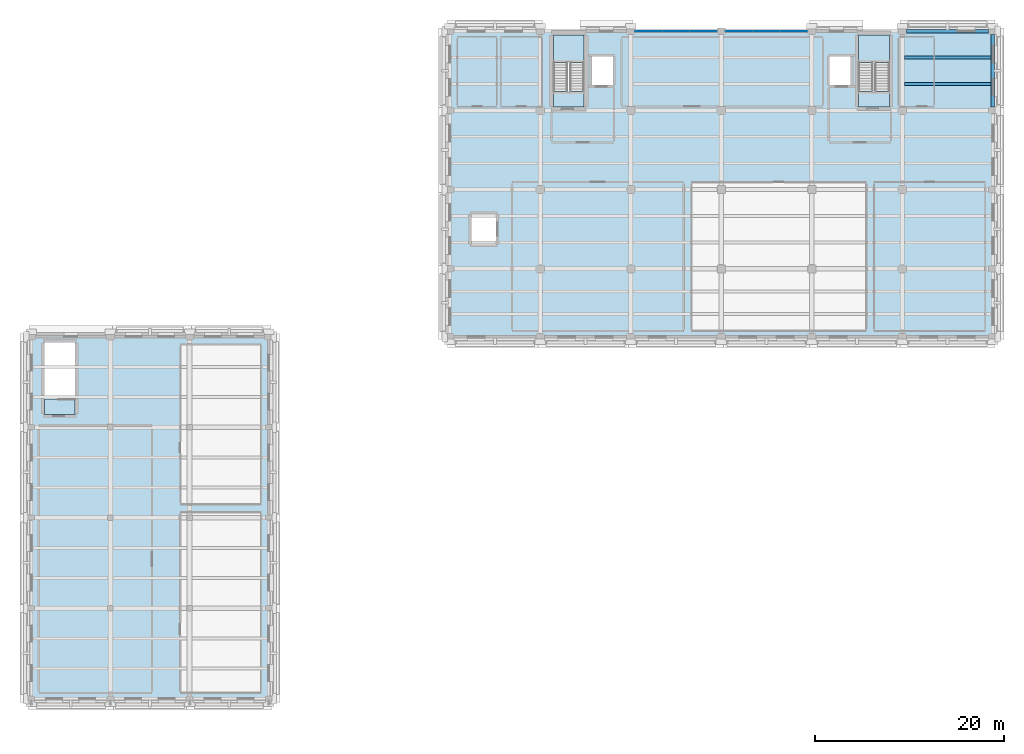
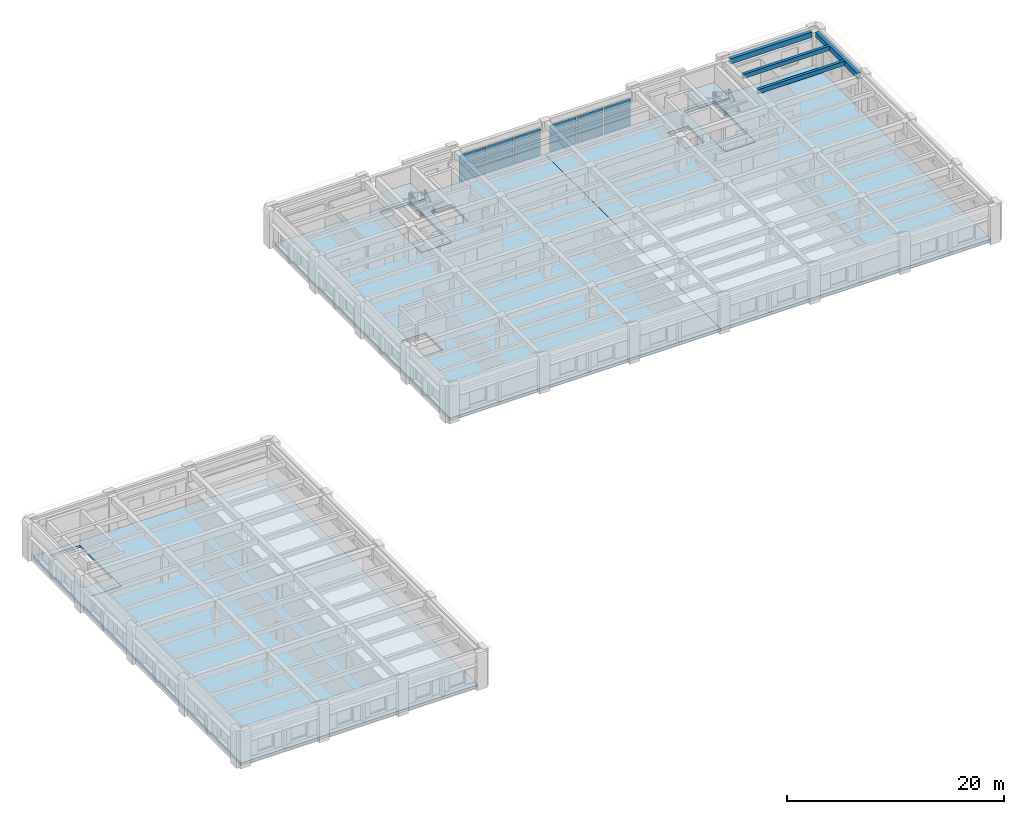
# One storey, part 5 of 17: 18 plates, 8 slabs, 4 beams, 4 elements without a shape of their own.
"""IFC4 building model written with IfcOpenShell, lengths in metres."""

from ifc_helpers import new_model, si_unit, direction, frame, origin, origin_2d, place, context, subcontext, project, spatial, polyline, rectangle, outline, extrude, material, layer, layer_set, material_profile, profile_set, type_object, element, aggregate, save


model = new_model("IFC4")

# Units and contexts
model_context = context("Model", 3, precision=1e-05, world=origin(), true_north=direction((0.0, 1.0)))
body_context = subcontext(model_context, "Body", "Model", "MODEL_VIEW")
ifc_project = project(units=[si_unit("LENGTHUNIT", "METRE"), si_unit("AREAUNIT", "SQUARE_METRE"), si_unit("VOLUMEUNIT", "CUBIC_METRE"), si_unit("PLANEANGLEUNIT", "RADIAN"), si_unit("MASSUNIT", "GRAM", prefix="KILO")], contexts=[model_context])

# Site, building, storey
site_placement = place(None, origin())
site = spatial("IfcSite", under=ifc_project, at=site_placement, CompositionType="ELEMENT")
building_placement = place(site_placement, origin())
building = spatial("IfcBuilding", under=site, at=building_placement, Name="Bempovik Park Faculty of Sciences", CompositionType="ELEMENT")
storey_placement = place(building_placement, frame((0.0, 0.0, 22.5)))
storey = spatial("IfcBuildingStorey", under=building, at=storey_placement, Name="L05", CompositionType="ELEMENT", Elevation=22.5)

# Beams
ifc_material_1 = material(Name="Concrete C35/45", Category="concrete")
ifc_material_profile_1 = material_profile(ifc_material_1, rectangle(XDim=0.3798828125, YDim=0.60009765625, at=origin_2d()), Name="RC 380x600")
ifc_profile_set_1 = profile_set([ifc_material_profile_1], Name="Concrete C35/45")
beam_type_1 = type_object("IfcBeamType", Name="B-032 RC 380x600", PredefinedType="SPANDREL", material=ifc_profile_set_1)
beam_1_placement = place(storey_placement, frame((108.4560546875, 119.39990234375, 3.6201171875), z_axis=(1.0, 0.0, 0.0), x_axis=(0.0, 1.0, 0.0)))
element("IfcBeam", 1, at=beam_1_placement, inside=storey, type_object=beam_type_1, Name="L05 Beam X (108.0-117.6, y=119.4)", PredefinedType="SPANDREL", context=body_context, shape_type="SweptSolid", body=[
    extrude(rectangle(XDim=0.3798828125, YDim=0.60009765625, at=origin_2d()), origin(), (0.0, 0.0, 1.0), 8.68798828125),
])
beam_2_placement = place(storey_placement, frame((117.60009765625, 111.35595703125, 3.6201171875), z_axis=(0.0, 1.0, 0.0), x_axis=(-1.0, 0.0, 0.0)))
element("IfcBeam", 2, at=beam_2_placement, inside=storey, type_object=beam_type_1, Name="L05 Beam Y (x=117.6, 111.0-119.4)", PredefinedType="SPANDREL", context=body_context, shape_type="SweptSolid", body=[
    extrude(rectangle(XDim=0.3798828125, YDim=0.60009765625, at=origin_2d()), origin(), (0.0, 0.0, 1.0), 7.68798828125),
])
ifc_material_profile_2 = material_profile(ifc_material_1, rectangle(XDim=0.300048828125, YDim=0.47998046875, at=origin_2d()), Name="RC 300x480")
ifc_profile_set_2 = profile_set([ifc_material_profile_2], Name="Concrete C35/45")
beam_type_2 = type_object("IfcBeamType", Name="B-039 RC 300x480", PredefinedType="JOIST", material=ifc_profile_set_2)
for number, where, z_axis, x_axis, name in (
    (3, (108.23095703125, 113.800048828125, 3.679931640625), (1.0, 0.0, 0.0), (0.0, 1.0, 0.0), "L05 Secondary Joist (108.0-117.6, y=113.80)"),
    (4, (108.23095703125, 116.60009765625, 3.679931640625), (1.0, 0.0, 0.0), (0.0, 1.0, 0.0), "L05 Secondary Joist (108.0-117.6, y=116.60)"),
):
    element("IfcBeam", number, at=place(storey_placement, frame(where, z_axis=z_axis, x_axis=x_axis)), inside=storey, type_object=beam_type_2, Name=name, PredefinedType="JOIST", context=body_context, shape_type="SweptSolid", body=[
        extrude(rectangle(XDim=0.300048828125, YDim=0.47998046875, at=origin_2d()), origin(), (0.0, 0.0, 1.0), 9.173095703125),
    ])

# Curtain wall, plates
ifc_material_2 = material(Name="Tempered laminated low-E glass", Category="glass")
ifc_layer_1 = layer(ifc_material_2, 0.159912109375)
ifc_layer_set_1 = layer_set([ifc_layer_1], Name="Tempered laminated low-E glass")
curtain_wall_type = type_object("IfcCurtainWallType", Name="CW-24 Curtain 7000x3500", PredefinedType="USERDEFINED", material=ifc_layer_set_1)
curtain_wall_1_placement = place(storey_placement, origin())
curtain_wall_1 = element("IfcCurtainWall", 5, at=curtain_wall_1_placement, inside=storey, type_object=curtain_wall_type, Name="L05 Unitised Curtain Wall (119.4,79.2)", ObjectType="UNITISED CURTAIN WALL", PredefinedType="USERDEFINED")
ifc_layer_2 = layer(ifc_material_2, 0.028076171875)
ifc_layer_set_2 = layer_set([ifc_layer_2], Name="Tempered laminated low-E glass")
plate_type_1 = type_object("IfcPlateType", Name="CP-20 Curtain Panel 28mm", PredefinedType="CURTAIN_PANEL", material=ifc_layer_set_2)
plate_1_placement = place(storey_placement, frame((81.101318359375, 119.39990234375, 1.066650390625), z_axis=(0.0, 0.0, 1.0), x_axis=(1.0, 0.0, 0.0)))
plate_1 = element("IfcPlate", 6, at=plate_1_placement, type_object=plate_type_1, Name="CW-BAY-L05-1194-792 Panel 0-1", PredefinedType="CURTAIN_PANEL", context=body_context, shape_type="SweptSolid", body=[
    extrude(rectangle(XDim=2.818603515625, YDim=0.035888671875, at=origin_2d()), origin(), (0.0, 0.0, 1.0), 0.94677734375),
])
plate_2_placement = place(storey_placement, frame((81.101318359375, 119.39990234375, 2.09326171875), z_axis=(0.0, 0.0, 1.0), x_axis=(1.0, 0.0, 0.0)))
plate_2 = element("IfcPlate", 7, at=plate_2_placement, type_object=plate_type_1, Name="CW-BAY-L05-1194-792 Panel 0-2", PredefinedType="CURTAIN_PANEL", context=body_context, shape_type="SweptSolid", body=[
    extrude(rectangle(XDim=2.818603515625, YDim=0.035888671875, at=origin_2d()), origin(), (0.0, 0.0, 1.0), 0.94677734375),
])
plate_3_placement = place(storey_placement, frame((84.0, 119.39990234375, 1.066650390625), z_axis=(0.0, 0.0, 1.0), x_axis=(1.0, 0.0, 0.0)))
plate_3 = element("IfcPlate", 8, at=plate_3_placement, type_object=plate_type_1, Name="CW-BAY-L05-1194-792 Panel 1-1", PredefinedType="CURTAIN_PANEL", context=body_context, shape_type="SweptSolid", body=[
    extrude(rectangle(XDim=2.818603515625, YDim=0.035888671875, at=origin_2d()), origin(), (0.0, 0.0, 1.0), 0.94677734375),
])
plate_4_placement = place(storey_placement, frame((84.0, 119.39990234375, 2.09326171875), z_axis=(0.0, 0.0, 1.0), x_axis=(1.0, 0.0, 0.0)))
plate_4 = element("IfcPlate", 9, at=plate_4_placement, type_object=plate_type_1, Name="CW-BAY-L05-1194-792 Panel 1-2", PredefinedType="CURTAIN_PANEL", context=body_context, shape_type="SweptSolid", body=[
    extrude(rectangle(XDim=2.818603515625, YDim=0.035888671875, at=origin_2d()), origin(), (0.0, 0.0, 1.0), 0.94677734375),
])
plate_5_placement = place(storey_placement, frame((86.898681640625, 119.39990234375, 1.066650390625), z_axis=(0.0, 0.0, 1.0), x_axis=(1.0, 0.0, 0.0)))
plate_5 = element("IfcPlate", 10, at=plate_5_placement, type_object=plate_type_1, Name="CW-BAY-L05-1194-792 Panel 2-1", PredefinedType="CURTAIN_PANEL", context=body_context, shape_type="SweptSolid", body=[
    extrude(rectangle(XDim=2.818603515625, YDim=0.035888671875, at=origin_2d()), origin(), (0.0, 0.0, 1.0), 0.94677734375),
])
plate_6_placement = place(storey_placement, frame((86.898681640625, 119.39990234375, 2.09326171875), z_axis=(0.0, 0.0, 1.0), x_axis=(1.0, 0.0, 0.0)))
plate_6 = element("IfcPlate", 11, at=plate_6_placement, type_object=plate_type_1, Name="CW-BAY-L05-1194-792 Panel 2-2", PredefinedType="CURTAIN_PANEL", context=body_context, shape_type="SweptSolid", body=[
    extrude(rectangle(XDim=2.818603515625, YDim=0.035888671875, at=origin_2d()), origin(), (0.0, 0.0, 1.0), 0.94677734375),
])

curtain_wall_2_placement = place(storey_placement, origin())
curtain_wall_2 = element("IfcCurtainWall", 12, at=curtain_wall_2_placement, inside=storey, type_object=curtain_wall_type, Name="L05 Unitised Curtain Wall (119.4,88.8)", ObjectType="UNITISED CURTAIN WALL", PredefinedType="USERDEFINED")
plate_7_placement = place(storey_placement, frame((90.701416015625, 119.39990234375, 1.066650390625), z_axis=(0.0, 0.0, 1.0), x_axis=(1.0, 0.0, 0.0)))
plate_7 = element("IfcPlate", 13, at=plate_7_placement, type_object=plate_type_1, Name="CW-BAY-L05-1194-888 Panel 0-1", PredefinedType="CURTAIN_PANEL", context=body_context, shape_type="SweptSolid", body=[
    extrude(rectangle(XDim=2.818603515625, YDim=0.035888671875, at=origin_2d()), origin(), (0.0, 0.0, 1.0), 0.94677734375),
])
plate_8_placement = place(storey_placement, frame((90.701416015625, 119.39990234375, 2.09326171875), z_axis=(0.0, 0.0, 1.0), x_axis=(1.0, 0.0, 0.0)))
plate_8 = element("IfcPlate", 14, at=plate_8_placement, type_object=plate_type_1, Name="CW-BAY-L05-1194-888 Panel 0-2", PredefinedType="CURTAIN_PANEL", context=body_context, shape_type="SweptSolid", body=[
    extrude(rectangle(XDim=2.818603515625, YDim=0.035888671875, at=origin_2d()), origin(), (0.0, 0.0, 1.0), 0.94677734375),
])
plate_9_placement = place(storey_placement, frame((93.60009765625, 119.39990234375, 1.066650390625), z_axis=(0.0, 0.0, 1.0), x_axis=(1.0, 0.0, 0.0)))
plate_9 = element("IfcPlate", 15, at=plate_9_placement, type_object=plate_type_1, Name="CW-BAY-L05-1194-888 Panel 1-1", PredefinedType="CURTAIN_PANEL", context=body_context, shape_type="SweptSolid", body=[
    extrude(rectangle(XDim=2.818603515625, YDim=0.035888671875, at=origin_2d()), origin(), (0.0, 0.0, 1.0), 0.94677734375),
])
plate_10_placement = place(storey_placement, frame((93.60009765625, 119.39990234375, 2.09326171875), z_axis=(0.0, 0.0, 1.0), x_axis=(1.0, 0.0, 0.0)))
plate_10 = element("IfcPlate", 16, at=plate_10_placement, type_object=plate_type_1, Name="CW-BAY-L05-1194-888 Panel 1-2", PredefinedType="CURTAIN_PANEL", context=body_context, shape_type="SweptSolid", body=[
    extrude(rectangle(XDim=2.818603515625, YDim=0.035888671875, at=origin_2d()), origin(), (0.0, 0.0, 1.0), 0.94677734375),
])
plate_11_placement = place(storey_placement, frame((96.498779296875, 119.39990234375, 1.066650390625), z_axis=(0.0, 0.0, 1.0), x_axis=(1.0, 0.0, 0.0)))
plate_11 = element("IfcPlate", 17, at=plate_11_placement, type_object=plate_type_1, Name="CW-BAY-L05-1194-888 Panel 2-1", PredefinedType="CURTAIN_PANEL", context=body_context, shape_type="SweptSolid", body=[
    extrude(rectangle(XDim=2.818603515625, YDim=0.035888671875, at=origin_2d()), origin(), (0.0, 0.0, 1.0), 0.94677734375),
])
plate_12_placement = place(storey_placement, frame((96.498779296875, 119.39990234375, 2.09326171875), z_axis=(0.0, 0.0, 1.0), x_axis=(1.0, 0.0, 0.0)))
plate_12 = element("IfcPlate", 18, at=plate_12_placement, type_object=plate_type_1, Name="CW-BAY-L05-1194-888 Panel 2-2", PredefinedType="CURTAIN_PANEL", context=body_context, shape_type="SweptSolid", body=[
    extrude(rectangle(XDim=2.818603515625, YDim=0.035888671875, at=origin_2d()), origin(), (0.0, 0.0, 1.0), 0.94677734375),
])

# Plate
ifc_material_3 = material(Name="Anodised architectural bronze")
ifc_layer_3 = layer(ifc_material_3, 0.048095703125)
ifc_layer_set_3 = layer_set([ifc_layer_3], Name="Anodised architectural bronze")
plate_type_2 = type_object("IfcPlateType", Name="CP-24 Curtain Panel 48mm", PredefinedType="CURTAIN_PANEL", material=ifc_layer_set_3)
plate_13_placement = place(storey_placement, frame((81.101318359375, 119.39990234375, 0.039794921875), z_axis=(0.0, 0.0, 1.0), x_axis=(1.0, 0.0, 0.0)))
plate_13 = element("IfcPlate", 19, at=plate_13_placement, type_object=plate_type_2, Name="CW-BAY-L05-1194-792 Panel 0-0", PredefinedType="CURTAIN_PANEL", context=body_context, shape_type="SweptSolid", body=[
    extrude(rectangle(XDim=2.818603515625, YDim=0.035888671875, at=origin_2d()), origin(), (0.0, 0.0, 1.0), 0.94677734375),
])

plate_14_placement = place(storey_placement, frame((84.0, 119.39990234375, 0.039794921875), z_axis=(0.0, 0.0, 1.0), x_axis=(1.0, 0.0, 0.0)))
plate_14 = element("IfcPlate", 20, at=plate_14_placement, type_object=plate_type_2, Name="CW-BAY-L05-1194-792 Panel 1-0", PredefinedType="CURTAIN_PANEL", context=body_context, shape_type="SweptSolid", body=[
    extrude(rectangle(XDim=2.818603515625, YDim=0.035888671875, at=origin_2d()), origin(), (0.0, 0.0, 1.0), 0.94677734375),
])

plate_15_placement = place(storey_placement, frame((86.898681640625, 119.39990234375, 0.039794921875), z_axis=(0.0, 0.0, 1.0), x_axis=(1.0, 0.0, 0.0)))
plate_15 = element("IfcPlate", 21, at=plate_15_placement, type_object=plate_type_2, Name="CW-BAY-L05-1194-792 Panel 2-0", PredefinedType="CURTAIN_PANEL", context=body_context, shape_type="SweptSolid", body=[
    extrude(rectangle(XDim=2.818603515625, YDim=0.035888671875, at=origin_2d()), origin(), (0.0, 0.0, 1.0), 0.94677734375),
])

aggregate(curtain_wall_1, [plate_13, plate_1, plate_2, plate_14, plate_3, plate_4, plate_15, plate_5, plate_6])

plate_16_placement = place(storey_placement, frame((90.701416015625, 119.39990234375, 0.039794921875), z_axis=(0.0, 0.0, 1.0), x_axis=(1.0, 0.0, 0.0)))
plate_16 = element("IfcPlate", 22, at=plate_16_placement, type_object=plate_type_2, Name="CW-BAY-L05-1194-888 Panel 0-0", PredefinedType="CURTAIN_PANEL", context=body_context, shape_type="SweptSolid", body=[
    extrude(rectangle(XDim=2.818603515625, YDim=0.035888671875, at=origin_2d()), origin(), (0.0, 0.0, 1.0), 0.94677734375),
])

plate_17_placement = place(storey_placement, frame((93.60009765625, 119.39990234375, 0.039794921875), z_axis=(0.0, 0.0, 1.0), x_axis=(1.0, 0.0, 0.0)))
plate_17 = element("IfcPlate", 23, at=plate_17_placement, type_object=plate_type_2, Name="CW-BAY-L05-1194-888 Panel 1-0", PredefinedType="CURTAIN_PANEL", context=body_context, shape_type="SweptSolid", body=[
    extrude(rectangle(XDim=2.818603515625, YDim=0.035888671875, at=origin_2d()), origin(), (0.0, 0.0, 1.0), 0.94677734375),
])

plate_18_placement = place(storey_placement, frame((96.498779296875, 119.39990234375, 0.039794921875), z_axis=(0.0, 0.0, 1.0), x_axis=(1.0, 0.0, 0.0)))
plate_18 = element("IfcPlate", 24, at=plate_18_placement, type_object=plate_type_2, Name="CW-BAY-L05-1194-888 Panel 2-0", PredefinedType="CURTAIN_PANEL", context=body_context, shape_type="SweptSolid", body=[
    extrude(rectangle(XDim=2.818603515625, YDim=0.035888671875, at=origin_2d()), origin(), (0.0, 0.0, 1.0), 0.94677734375),
])

aggregate(curtain_wall_2, [plate_16, plate_7, plate_8, plate_17, plate_9, plate_10, plate_18, plate_11, plate_12])

# Slabs
ifc_layer_4 = layer(ifc_material_1, 0.300048828125)
ifc_layer_set_4 = layer_set([ifc_layer_4], Name="Concrete C35/45")
slab_type_1 = type_object("IfcSlabType", Name="S-25 Slab 300mm", PredefinedType="FLOOR", material=ifc_layer_set_4)
slab_1_placement = place(storey_placement, frame((0.0, 0.0, -0.300048828125)))
element("IfcSlab", 25, at=slab_1_placement, inside=storey, type_object=slab_type_1, Name="L05 West Laboratory Wing Floor Slab (M)", PredefinedType="FLOOR", context=body_context, shape_type="SweptSolid", body=[
    extrude(outline(polyline([(15.60009765625, 48.60009765625), (40.800048828125, 48.60009765625), (40.800048828125, 87.0), (15.60009765625, 87.0), (15.60009765625, 48.60009765625)]), holes=[polyline([(17.0, 78.75), (20.25, 78.75), (20.25, 86.375), (17.0, 86.375), (17.0, 78.75)])]), origin(), (0.0, 0.0, 1.0), 0.300048828125),
])
ifc_layer_5 = layer(ifc_material_1, 0.280029296875)
ifc_layer_set_5 = layer_set([ifc_layer_5], Name="Concrete C35/45")
slab_type_2 = type_object("IfcSlabType", Name="S-32 Slab 280mm", PredefinedType="FLOOR", material=ifc_layer_set_5)
slab_2_placement = place(storey_placement, frame((0.0, 0.0, -0.300048828125)))
element("IfcSlab", 26, at=slab_2_placement, inside=storey, type_object=slab_type_2, Name="L05 North Research Tower Floor Slab (W)", PredefinedType="FLOOR", context=body_context, shape_type="SweptSolid", body=[
    extrude(outline(polyline([(60.0, 87.0), (88.800048828125, 87.0), (88.800048828125, 119.39990234375), (60.0, 119.39990234375), (60.0, 87.0)]), holes=[polyline([(71.0, 111.375), (74.25, 111.375), (74.25, 119.0), (71.0, 119.0), (71.0, 111.375)]), polyline([(75.10009765625, 113.699951171875), (77.300048828125, 113.699951171875), (77.300048828125, 116.699951171875), (75.10009765625, 116.699951171875), (75.10009765625, 113.699951171875)]), polyline([(62.300048828125, 96.800048828125), (64.89990234375, 96.800048828125), (64.89990234375, 100.0), (62.300048828125, 100.0), (62.300048828125, 96.800048828125)])]), origin(), (0.0, 0.0, 1.0), 0.300048828125),
])
slab_3_placement = place(storey_placement, frame((0.0, 0.0, -0.300048828125)))
element("IfcSlab", 27, at=slab_3_placement, inside=storey, type_object=slab_type_2, Name="L05 North Research Tower Floor Slab (E)", PredefinedType="FLOOR", context=body_context, shape_type="SweptSolid", body=[
    extrude(outline(polyline([(88.800048828125, 87.0), (117.60009765625, 87.0), (117.60009765625, 119.39990234375), (88.800048828125, 119.39990234375), (88.800048828125, 87.0)]), holes=[polyline([(103.375, 111.375), (106.625, 111.375), (106.625, 119.0), (103.375, 119.0), (103.375, 111.375)]), polyline([(100.300048828125, 113.699951171875), (102.5, 113.699951171875), (102.5, 116.699951171875), (100.300048828125, 116.699951171875), (100.300048828125, 113.699951171875)])]), origin(), (0.0, 0.0, 1.0), 0.300048828125),
])

# Stair, slab
stair_type = type_object("IfcStairType", Name="ST-16 Stair W1500 H4200", PredefinedType="HALF_TURN_STAIR", material=ifc_material_1)
stair_1_placement = place(storey_placement, origin())
stair_1 = element("IfcStair", 28, at=stair_1_placement, inside=storey, type_object=stair_type, Name="L05 ST-1 Dog-Leg Exit Stair", PredefinedType="HALF_TURN_STAIR")
ifc_layer_6 = layer(ifc_material_1, 0.199951171875)
ifc_layer_set_6 = layer_set([ifc_layer_6], Name="Concrete C35/45")
slab_type_3 = type_object("IfcSlabType", Name="S-41 Slab 200mm", PredefinedType="LANDING", material=ifc_layer_set_6)
slab_4_placement = place(storey_placement, frame((0.0, 0.0, 1.89990234375)))
slab_4 = element("IfcSlab", 29, at=slab_4_placement, type_object=slab_type_3, Name="ST-16 landing 1", PredefinedType="LANDING", context=body_context, shape_type="SweptSolid", body=[
    extrude(outline(polyline([(74.25, 116.09375), (74.25, 119.0), (71.0, 119.0), (71.0, 116.09375), (74.25, 116.09375)])), origin(), (0.0, 0.0, 1.0), 0.2001953125),
])
aggregate(stair_1, [slab_4])

# Slab
slab_5_placement = place(storey_placement, frame((0.0, 0.0, -0.300048828125)))
element("IfcSlab", 30, at=slab_5_placement, inside=storey, type_object=slab_type_3, Name="L05 ST-1 Floor Landing Slab", PredefinedType="LANDING", context=body_context, shape_type="SweptSolid", body=[
    extrude(outline(polyline([(74.25, 111.375), (74.25, 113.0), (71.0, 113.0), (71.0, 111.375), (74.25, 111.375)])), origin(), (0.0, 0.0, 1.0), 0.300048828125),
])

# Stair, slab
stair_2_placement = place(storey_placement, origin())
stair_2 = element("IfcStair", 31, at=stair_2_placement, inside=storey, type_object=stair_type, Name="L05 ST-2 Dog-Leg Exit Stair", PredefinedType="HALF_TURN_STAIR")
slab_6_placement = place(storey_placement, frame((0.0, 0.0, 1.89990234375)))
slab_6 = element("IfcSlab", 32, at=slab_6_placement, type_object=slab_type_3, Name="ST-16 landing 1", PredefinedType="LANDING", context=body_context, shape_type="SweptSolid", body=[
    extrude(outline(polyline([(106.625, 116.09375), (106.625, 119.0), (103.375, 119.0), (103.375, 116.09375), (106.625, 116.09375)])), origin(), (0.0, 0.0, 1.0), 0.2001953125),
])
aggregate(stair_2, [slab_6])

# Slabs
slab_7_placement = place(storey_placement, frame((0.0, 0.0, -0.300048828125)))
element("IfcSlab", 33, at=slab_7_placement, inside=storey, type_object=slab_type_3, Name="L05 ST-2 Floor Landing Slab", PredefinedType="LANDING", context=body_context, shape_type="SweptSolid", body=[
    extrude(outline(polyline([(106.625, 111.375), (106.625, 113.0), (103.375, 113.0), (103.375, 111.375), (106.625, 111.375)])), origin(), (0.0, 0.0, 1.0), 0.300048828125),
])
slab_8_placement = place(storey_placement, frame((0.0, 0.0, -0.300048828125)))
element("IfcSlab", 34, at=slab_8_placement, inside=storey, type_object=slab_type_3, Name="L05 ST-3 Floor Landing Slab", PredefinedType="LANDING", context=body_context, shape_type="SweptSolid", body=[
    extrude(outline(polyline([(20.25, 78.75), (20.25, 80.375), (17.0, 80.375), (17.0, 78.75), (20.25, 78.75)])), origin(), (0.0, 0.0, 1.0), 0.300048828125),
])

save(model, "model.ifc")
